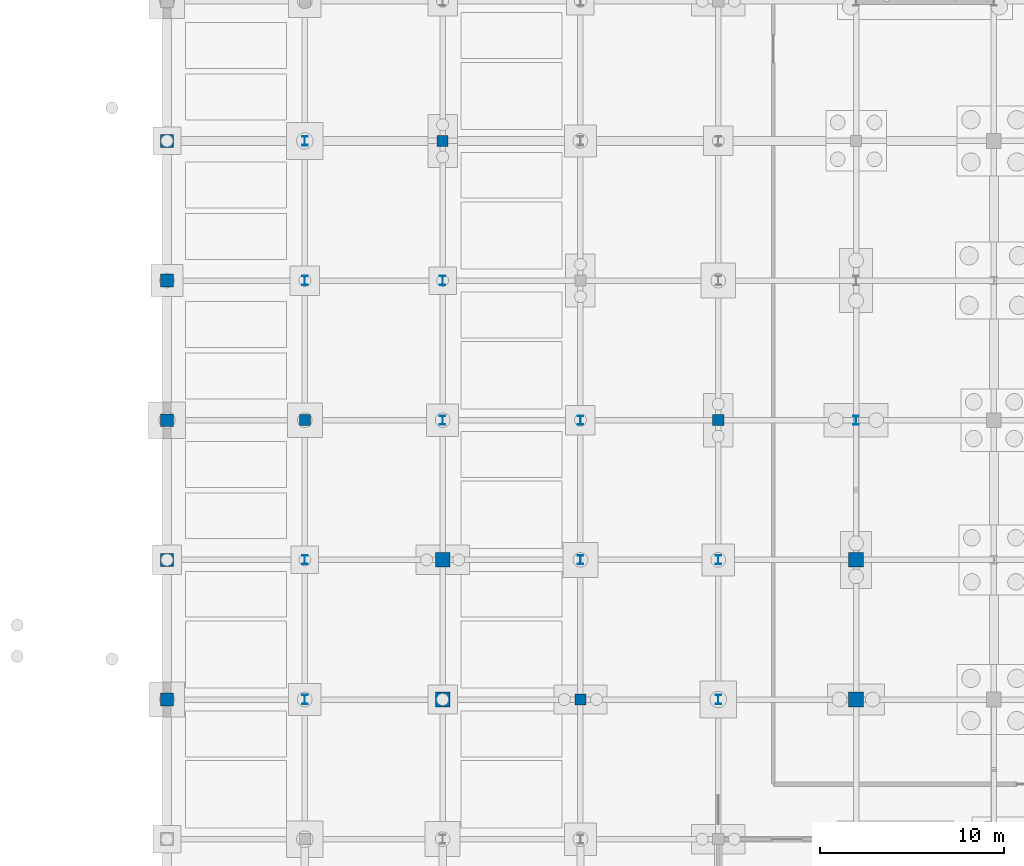
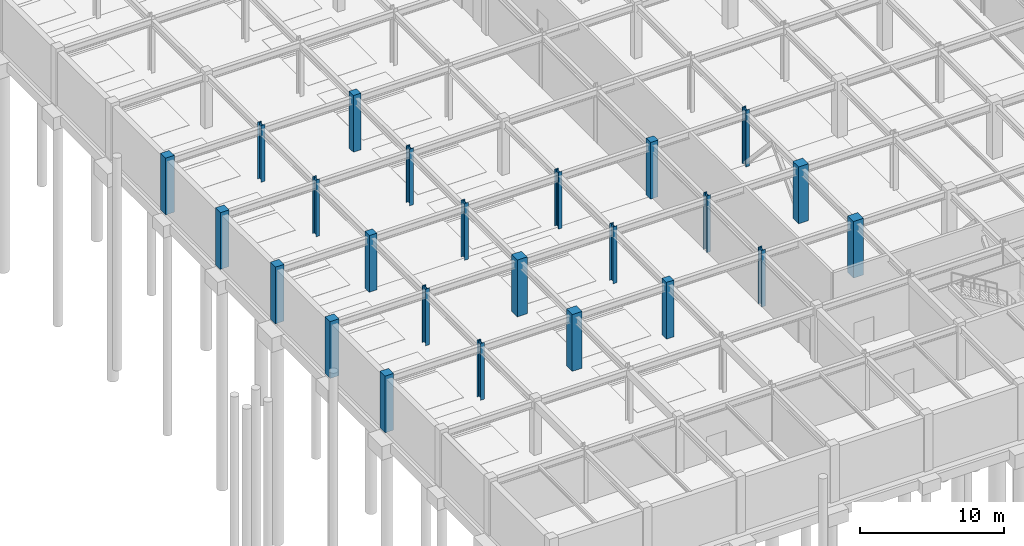
# One storey, part 11 of 53: 24 columns.
"""IFC4 building model written with IfcOpenShell, lengths in metres."""

from ifc_helpers import new_model, si_unit, direction, frame, origin, origin_2d, place, context, subcontext, project, spatial, rectangle, i_section, extrude, material, material_profile, profile_set, type_object, element, save


model = new_model("IFC4")

# Units and contexts
model_context = context("Model", 3, precision=1e-05, world=origin(), true_north=direction((0.0, 1.0)))
body_context = subcontext(model_context, "Body", "Model", "MODEL_VIEW")
ifc_project = project(units=[si_unit("LENGTHUNIT", "METRE"), si_unit("AREAUNIT", "SQUARE_METRE"), si_unit("VOLUMEUNIT", "CUBIC_METRE"), si_unit("PLANEANGLEUNIT", "RADIAN"), si_unit("MASSUNIT", "GRAM", prefix="KILO")], contexts=[model_context])

# Site, building, storey
site_placement = place(None, origin())
site = spatial("IfcSite", under=ifc_project, at=site_placement, CompositionType="ELEMENT")
building_placement = place(site_placement, origin())
building = spatial("IfcBuilding", under=site, at=building_placement, Name="Shalkamar Park Central Library", CompositionType="ELEMENT")
storey_placement = place(building_placement, frame((0.0, 0.0, -4.800048828125)))
storey = spatial("IfcBuildingStorey", under=building, at=storey_placement, Name="B1", CompositionType="ELEMENT", Elevation=-4.800048828125)

# Columns
ifc_material_1 = material(Name="Concrete C40/50", Category="concrete")
ifc_material_profile_1 = material_profile(ifc_material_1, rectangle(XDim=0.60009765625, YDim=0.60009765625, at=origin_2d()), Name="RC 600x600")
ifc_profile_set_1 = profile_set([ifc_material_profile_1], Name="Concrete C40/50")
column_type_1 = type_object("IfcColumnType", Name="Column Concrete RC600", PredefinedType="COLUMN", material=ifc_profile_set_1)
for number, where, z_axis, x_axis, name in (
    (1, (127.5, 278.0, 0.0), (0.0, 0.0, 1.0), (1.0, 0.0, 0.0), "Column 02/F (B1)"),
    (2, (135.0, 293.199951171875, 0.0), (0.0, 0.0, 1.0), (1.0, 0.0, 0.0), "Column 03/H (B1)"),
    (3, (142.5, 262.800048828125, 0.0), (0.0, 0.0, 1.0), (1.0, 0.0, 0.0), "Column 04/D (B1)"),
    (4, (150.0, 278.0, 0.0), (0.0, 0.0, 1.0), (1.0, 0.0, 0.0), "Column 05/F (B1)"),
):
    element("IfcColumn", number, at=place(storey_placement, frame(where, z_axis=z_axis, x_axis=x_axis)), inside=storey, type_object=column_type_1, Name=name, PredefinedType="COLUMN", context=body_context, shape_type="SweptSolid", body=[
        extrude(rectangle(XDim=0.60009765625, YDim=0.60009765625, at=origin_2d()), origin(), (0.0, 0.0, 1.0), 4.800048828125),
    ])
ifc_material_profile_2 = material_profile(ifc_material_1, rectangle(XDim=0.699951171875, YDim=0.699951171875, at=origin_2d()), Name="RC 700x700")
ifc_profile_set_2 = profile_set([ifc_material_profile_2], Name="Concrete C40/50")
column_type_2 = type_object("IfcColumnType", Name="Column Concrete RC700", PredefinedType="COLUMN", material=ifc_profile_set_2)
for number, where, z_axis, x_axis, name in (
    (5, (120.0, 262.800048828125, 0.0), (0.0, 0.0, 1.0), (1.0, 0.0, 0.0), "Column 01/D (B1)"),
    (6, (120.0, 270.39990234375, 0.0), (0.0, 0.0, 1.0), (1.0, 0.0, 0.0), "Column 01/E (B1)"),
    (7, (120.0, 278.0, 0.0), (0.0, 0.0, 1.0), (1.0, 0.0, 0.0), "Column 01/F (B1)"),
    (8, (120.0, 285.60009765625, 0.0), (0.0, 0.0, 1.0), (1.0, 0.0, 0.0), "Column 01/G (B1)"),
    (9, (120.0, 293.199951171875, 0.0), (0.0, 0.0, 1.0), (1.0, 0.0, 0.0), "Column 01/H (B1)"),
):
    element("IfcColumn", number, at=place(storey_placement, frame(where, z_axis=z_axis, x_axis=x_axis)), inside=storey, type_object=column_type_2, Name=name, PredefinedType="COLUMN", context=body_context, shape_type="SweptSolid", body=[
        extrude(rectangle(XDim=0.699951171875, YDim=0.699951171875, at=origin_2d()), origin(), (0.0, 0.0, 1.0), 4.800048828125),
    ])
ifc_material_profile_3 = material_profile(ifc_material_1, rectangle(XDim=0.800048828125, YDim=0.800048828125, at=origin_2d()), Name="RC 800x800")
ifc_profile_set_3 = profile_set([ifc_material_profile_3], Name="Concrete C40/50")
column_type_3 = type_object("IfcColumnType", Name="Column Concrete RC800", PredefinedType="COLUMN", material=ifc_profile_set_3)
for number, where, z_axis, x_axis, name in (
    (10, (135.0, 262.800048828125, 0.0), (0.0, 0.0, 1.0), (1.0, 0.0, 0.0), "Column 03/D (B1)"),
    (11, (135.0, 270.39990234375, 0.0), (0.0, 0.0, 1.0), (1.0, 0.0, 0.0), "Column 03/E (B1)"),
    (12, (157.5, 262.800048828125, 0.0), (0.0, 0.0, 1.0), (1.0, 0.0, 0.0), "Column 06/D (B1)"),
    (13, (157.5, 270.39990234375, 0.0), (0.0, 0.0, 1.0), (1.0, 0.0, 0.0), "Column 06/E (B1)"),
):
    element("IfcColumn", number, at=place(storey_placement, frame(where, z_axis=z_axis, x_axis=x_axis)), inside=storey, type_object=column_type_3, Name=name, PredefinedType="COLUMN", context=body_context, shape_type="SweptSolid", body=[
        extrude(rectangle(XDim=0.800048828125, YDim=0.800048828125, at=origin_2d()), origin(), (0.0, 0.0, 1.0), 4.800048828125),
    ])
ifc_material_2 = material(Name="Steel S355", Category="steel")
ifc_material_profile_4 = material_profile(ifc_material_2, i_section(OverallWidth=0.300048828125, OverallDepth=0.5, WebThickness=0.014404296875, FlangeThickness=0.028076171875, FilletRadius=0.027099609375, at=origin_2d()), Name="HEB 500")
ifc_profile_set_4 = profile_set([ifc_material_profile_4], Name="Steel S355")
column_type_4 = type_object("IfcColumnType", Name="Column Steel HEB500", PredefinedType="COLUMN", material=ifc_profile_set_4)
for number, where, z_axis, x_axis, name in (
    (14, (127.5, 262.800048828125, 0.0), (0.0, 0.0, 1.0), (1.0, 0.0, 0.0), "Column 02/D (B1)"),
    (15, (127.5, 270.39990234375, 0.0), (0.0, 0.0, 1.0), (1.0, 0.0, 0.0), "Column 02/E (B1)"),
    (16, (127.5, 285.60009765625, 0.0), (0.0, 0.0, 1.0), (1.0, 0.0, 0.0), "Column 02/G (B1)"),
    (17, (127.5, 293.199951171875, 0.0), (0.0, 0.0, 1.0), (1.0, 0.0, 0.0), "Column 02/H (B1)"),
    (18, (135.0, 278.0, 0.0), (0.0, 0.0, 1.0), (1.0, 0.0, 0.0), "Column 03/F (B1)"),
    (19, (135.0, 285.60009765625, 0.0), (0.0, 0.0, 1.0), (1.0, 0.0, 0.0), "Column 03/G (B1)"),
    (20, (142.5, 270.39990234375, 0.0), (0.0, 0.0, 1.0), (1.0, 0.0, 0.0), "Column 04/E (B1)"),
    (21, (142.5, 278.0, 0.0), (0.0, 0.0, 1.0), (1.0, 0.0, 0.0), "Column 04/F (B1)"),
    (22, (150.0, 262.800048828125, 0.0), (0.0, 0.0, 1.0), (1.0, 0.0, 0.0), "Column 05/D (B1)"),
    (23, (150.0, 270.39990234375, 0.0), (0.0, 0.0, 1.0), (1.0, 0.0, 0.0), "Column 05/E (B1)"),
    (24, (157.5, 278.0, 0.0), (0.0, 0.0, 1.0), (1.0, 0.0, 0.0), "Column 06/F (B1)"),
):
    element("IfcColumn", number, at=place(storey_placement, frame(where, z_axis=z_axis, x_axis=x_axis)), inside=storey, type_object=column_type_4, Name=name, PredefinedType="COLUMN", context=body_context, shape_type="SweptSolid", body=[
        extrude(i_section(OverallWidth=0.300048828125, OverallDepth=0.5, WebThickness=0.014404296875, FlangeThickness=0.028076171875, FilletRadius=0.027099609375, at=origin_2d()), origin(), (0.0, 0.0, 1.0), 4.800048828125),
    ])

save(model, "model.ifc")
